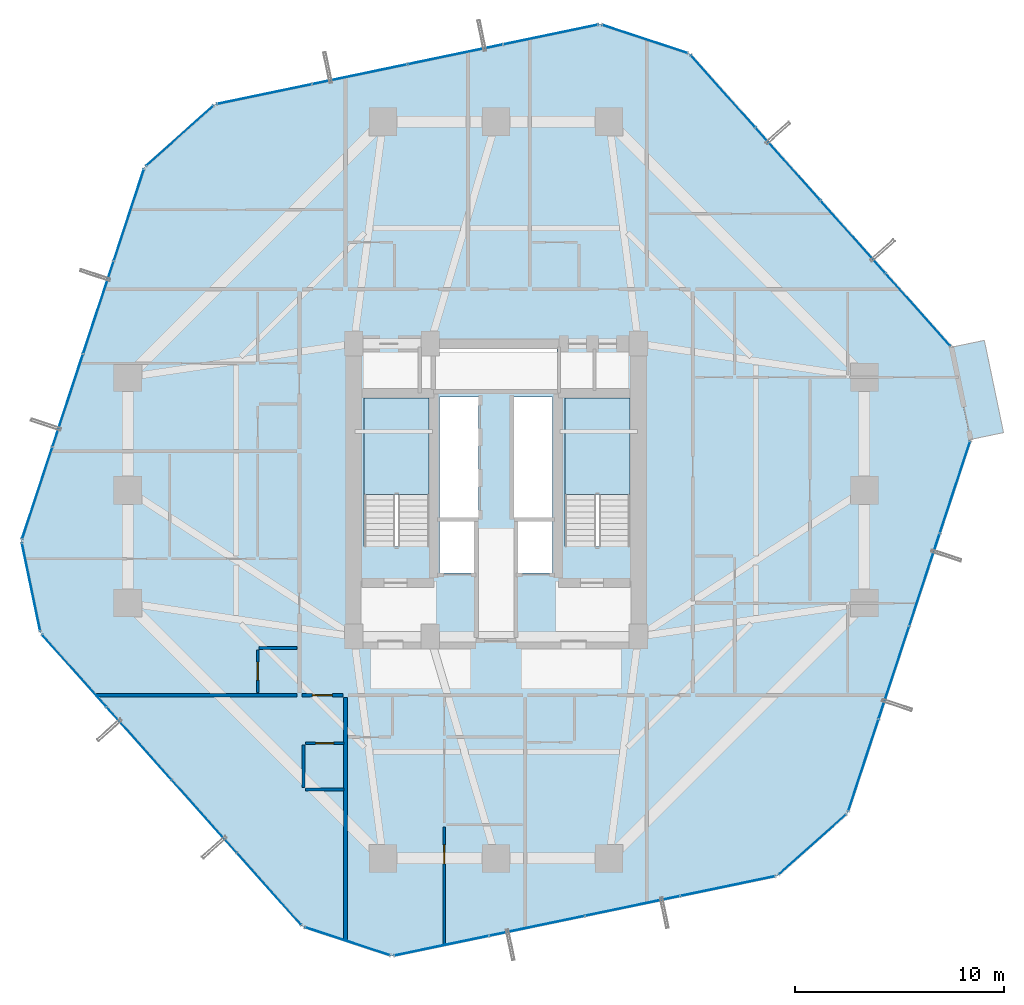
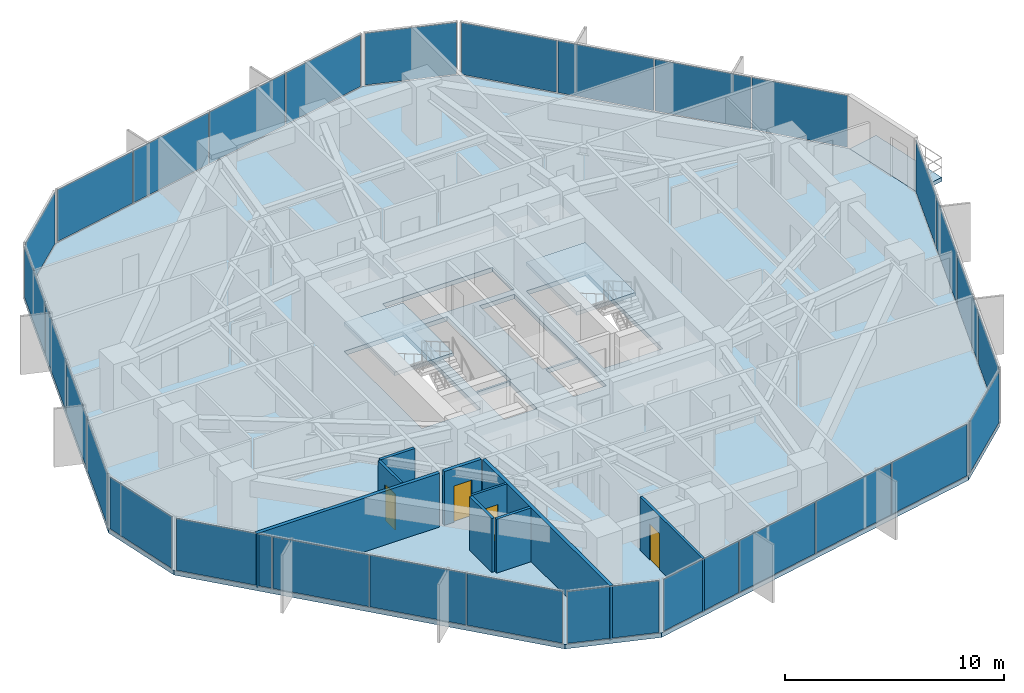
# One storey, part 32 of 38: 29 plates, 9 walls, 4 doors, 4 slabs, 4 openings, 13 elements without a shape of their own.
"""IFC4 building model written with IfcOpenShell, lengths in metres."""

from ifc_helpers import new_model, si_unit, direction, frame, frame_2d, origin, origin_2d, place, context, subcontext, project, spatial, polyline, rectangle, outline, extrude, source, transform, mapped, material, layer, layer_set, type_object, element, fill, aggregate, save


model = new_model("IFC4")

# Units and contexts
model_context = context("Model", 3, precision=1e-05, world=origin(), true_north=direction((0.0, 1.0)))
body_context = subcontext(model_context, "Body", "Model", "MODEL_VIEW")
ifc_project = project(units=[si_unit("LENGTHUNIT", "METRE"), si_unit("AREAUNIT", "SQUARE_METRE"), si_unit("VOLUMEUNIT", "CUBIC_METRE"), si_unit("PLANEANGLEUNIT", "RADIAN"), si_unit("MASSUNIT", "GRAM", prefix="KILO")], contexts=[model_context])

# Site, building, storey
site_placement = place(None, origin())
site = spatial("IfcSite", under=ifc_project, at=site_placement, CompositionType="ELEMENT")
building_placement = place(site_placement, origin())
building = spatial("IfcBuilding", under=site, at=building_placement, Name="Veraguas Prism Commons", CompositionType="ELEMENT")
storey_placement = place(building_placement, frame((0.0, 0.0, 64.10009765625)))
storey = spatial("IfcBuildingStorey", under=building, at=storey_placement, Name="L17", CompositionType="ELEMENT", Elevation=64.10009765625)

# Stair, slab
ifc_material_1 = material(Name="Precast concrete C45/55", Category="concrete")
stair_type = type_object("IfcStairType", Name="Dogleg Core Stair 1480W 20R 05", PredefinedType="HALF_TURN_STAIR", material=ifc_material_1)
stair_1_placement = place(storey_placement, origin())
stair_1 = element("IfcStair", 1, at=stair_1_placement, inside=storey, type_object=stair_type, Name="Protected Exit Stair ST-01 L17", PredefinedType="HALF_TURN_STAIR")
ifc_layer_1 = layer(ifc_material_1, 0.199951171875, Name="Precast Stair and Ramp Landing Slab 200", Category="concrete")
ifc_layer_set_1 = layer_set([ifc_layer_1], Name="Precast concrete C45/55")
slab_type_1 = type_object("IfcSlabType", Name="Precast Stair and Ramp Landing Slab 200", PredefinedType="LANDING", material=ifc_layer_set_1)
slab_1_placement = place(storey_placement, frame((0.0, 0.0, 1.4248046875)))
slab_1 = element("IfcSlab", 2, at=slab_1_placement, type_object=slab_type_1, Name="ST-05 Landing 1", PredefinedType="LANDING", context=body_context, shape_type="SweptSolid", body=[
    extrude(outline(polyline([(20.800048828125, 23.800048828125), (20.800048828125, 28.39990234375), (17.68994140625, 28.39990234375), (17.68994140625, 23.800048828125), (20.800048828125, 23.800048828125)])), origin(), (0.0, 0.0, 1.0), 0.2001953125),
])
aggregate(stair_1, [slab_1])

stair_2_placement = place(storey_placement, origin())
stair_2 = element("IfcStair", 3, at=stair_2_placement, inside=storey, type_object=stair_type, Name="Protected Exit Stair ST-02 L17", PredefinedType="HALF_TURN_STAIR")
slab_2_placement = place(storey_placement, frame((0.0, 0.0, 1.4248046875)))
slab_2 = element("IfcSlab", 4, at=slab_2_placement, type_object=slab_type_1, Name="ST-05 Landing 1", PredefinedType="LANDING", context=body_context, shape_type="SweptSolid", body=[
    extrude(outline(polyline([(30.39990234375, 23.800048828125), (30.39990234375, 28.39990234375), (27.2900390625, 28.39990234375), (27.2900390625, 23.800048828125), (30.39990234375, 23.800048828125)])), origin(), (0.0, 0.0, 1.0), 0.2001953125),
])
aggregate(stair_2, [slab_2])

# Slabs
ifc_material_2 = material(Name="Concrete C45/55", Category="concrete")
ifc_layer_2 = layer(ifc_material_2, 0.219970703125, Name="Recessed Loggia and Terrace Slab RC 220", Category="concrete")
ifc_layer_set_2 = layer_set([ifc_layer_2], Name="Concrete C45/55")
slab_type_2 = type_object("IfcSlabType", Name="Recessed Loggia and Terrace Slab RC 220", PredefinedType="FLOOR", material=ifc_layer_set_2)
slab_3_placement = place(storey_placement, frame((0.0, 0.0, -0.22021484375)))
element("IfcSlab", 5, at=slab_3_placement, inside=storey, type_object=slab_type_2, Name="Recessed Corner Loggia L17-C1", PredefinedType="FLOOR", context=body_context, shape_type="SweptSolid", body=[
    extrude(outline(polyline([(46.663330078125, 26.419921875), (48.24951171875, 26.75), (47.332275390625, 31.155517578125), (45.746337890625, 30.825439453125), (46.663330078125, 26.419921875)])), origin(), (0.0, 0.0, 1.0), 0.22021484375),
])
ifc_layer_3 = layer(ifc_material_2, 0.25, Name="Tower Lower Residential Floor Slab RC 250", Category="concrete")
ifc_layer_set_3 = layer_set([ifc_layer_3], Name="Concrete C45/55")
slab_type_3 = type_object("IfcSlabType", Name="Tower Lower Residential Floor Slab RC 250", PredefinedType="FLOOR", material=ifc_layer_set_3)
slab_4_placement = place(storey_placement, frame((0.0, 0.0, -0.25)))
element("IfcSlab", 6, at=slab_4_placement, inside=storey, type_object=slab_type_3, Name="Tower Floor Slab L17", PredefinedType="FLOOR", context=body_context, shape_type="SweptSolid", body=[
    extrude(outline(polyline([(46.68310546875, 26.424072265625), (45.765869140625, 30.82958984375), (33.2421875, 44.856201171875), (28.968505859375, 46.2646484375), (10.559326171875, 42.43212890625), (7.202392578125, 39.43505859375), (1.31689453125, 21.575927734375), (2.234130859375, 17.17041015625), (14.7578125, 3.143798828125), (19.031494140625, 1.7353515625), (37.440673828125, 5.56787109375), (40.797607421875, 8.56494140625), (46.68310546875, 26.424072265625)]), holes=[polyline([(20.800048828125, 21.31005859375), (20.800048828125, 28.39990234375), (17.68994140625, 28.39990234375), (17.68994140625, 21.31005859375), (20.800048828125, 21.31005859375)]), polyline([(30.39990234375, 21.31005859375), (30.39990234375, 28.39990234375), (27.2900390625, 28.39990234375), (27.2900390625, 21.31005859375), (30.39990234375, 21.31005859375)]), polyline([(21.300048828125, 22.64990234375), (23.14990234375, 22.64990234375), (23.14990234375, 28.449951171875), (21.300048828125, 28.449951171875), (21.300048828125, 22.64990234375)]), polyline([(24.85009765625, 22.64990234375), (26.699951171875, 22.64990234375), (26.699951171875, 28.449951171875), (24.85009765625, 28.449951171875), (24.85009765625, 22.64990234375)]), polyline([(21.10009765625, 28.800048828125), (26.89990234375, 28.800048828125), (26.89990234375, 30.800048828125), (21.10009765625, 30.800048828125), (21.10009765625, 28.800048828125)]), polyline([(21.300048828125, 20.050048828125), (23.050048828125, 20.050048828125), (23.050048828125, 22.550048828125), (21.300048828125, 22.550048828125), (21.300048828125, 20.050048828125)]), polyline([(24.949951171875, 20.050048828125), (26.699951171875, 20.050048828125), (26.699951171875, 22.550048828125), (24.949951171875, 22.550048828125), (24.949951171875, 20.050048828125)])]), origin(), (0.0, 0.0, 1.0), 0.25),
])

# Curtain wall, plates
ifc_material_3 = material(Name="Anodised aluminium EN AW-6063 T6", Category="aluminium")
ifc_layer_4 = layer(ifc_material_3, 0.169921875, Name="Unitised Flush Curtain Wall Zone 1", Category="aluminium")
ifc_layer_set_4 = layer_set([ifc_layer_4], Name="Anodised aluminium EN AW-6063 T6")
curtain_wall_type = type_object("IfcCurtainWallType", Name="Unitised Flush Curtain Wall Zone 1", PredefinedType="NOTDEFINED", material=ifc_layer_set_4)
curtain_wall_1_placement = place(storey_placement, origin())
curtain_wall_1 = element("IfcCurtainWall", 7, at=curtain_wall_1_placement, inside=storey, type_object=curtain_wall_type, Name="Tower Facade Curtain Wall L17-F1", PredefinedType="NOTDEFINED")
ifc_material_4 = material(Name="Laminated low-e glass", Category="glass")
ifc_layer_5 = layer(ifc_material_4, 0.028076171875, Name="Unitised Double Low-E Glazed Panel 28", Category="glass")
ifc_layer_set_5 = layer_set([ifc_layer_5], Name="Laminated low-e glass")
plate_type = type_object("IfcPlateType", Name="Unitised Double Low-E Glazed Panel 28", PredefinedType="CURTAIN_PANEL", material=ifc_layer_set_5)
shared_shape_1 = source(origin(), body_context, "Body", "SweptSolid", [
    extrude(rectangle(XDim=4.5810546875, YDim=0.028076171875, at=origin_2d()), origin(), (0.0, 0.0, 1.0), 2.889892578125),
])
plate_1_placement = place(storey_placement, frame((44.160400390625, 32.627685546875, 0.05517578125), z_axis=(0.0, 0.0, 1.0), x_axis=(-0.666011867434, 0.745941145424, 0.0)))
plate_1 = element("IfcPlate", 8, at=plate_1_placement, type_object=plate_type, Name="CW-Z1 Panel 1.1", PredefinedType="CURTAIN_PANEL", context=body_context, shape_type="MappedRepresentation", body=[
    mapped(shared_shape_1, transform((0.0, 0.0, 0.0), scale=1.0)),
])
plate_2_placement = place(storey_placement, frame((34.84765625, 43.05810546875, 0.05517578125), z_axis=(0.0, 0.0, 1.0), x_axis=(-0.666011867434, 0.745941145424, 0.0)))
plate_2 = element("IfcPlate", 9, at=plate_2_placement, type_object=plate_type, Name="CW-Z1 Panel 4.1", PredefinedType="CURTAIN_PANEL", context=body_context, shape_type="MappedRepresentation", body=[
    mapped(shared_shape_1, transform((0.0, 0.0, 0.0), scale=1.0)),
])

curtain_wall_2_placement = place(storey_placement, origin())
curtain_wall_2 = element("IfcCurtainWall", 10, at=curtain_wall_2_placement, inside=storey, type_object=curtain_wall_type, Name="Tower Facade Curtain Wall L17-F2", PredefinedType="NOTDEFINED")
plate_3_placement = place(storey_placement, frame((26.608642578125, 45.7734375, 0.05517578125), z_axis=(0.0, 0.0, 1.0), x_axis=(-0.979008848209, -0.203817749789, 0.0)))
plate_3 = element("IfcPlate", 11, at=plate_3_placement, type_object=plate_type, Name="CW-Z1 Panel 1.1", PredefinedType="CURTAIN_PANEL", context=body_context, shape_type="MappedRepresentation", body=[
    mapped(shared_shape_1, transform((0.0, 0.0, 0.0), scale=1.0)),
])
plate_4_placement = place(storey_placement, frame((12.919189453125, 42.92333984375, 0.05517578125), z_axis=(0.0, 0.0, 1.0), x_axis=(-0.979008848209, -0.203817749789, 0.0)))
plate_4 = element("IfcPlate", 12, at=plate_4_placement, type_object=plate_type, Name="CW-Z1 Panel 4.1", PredefinedType="CURTAIN_PANEL", context=body_context, shape_type="MappedRepresentation", body=[
    mapped(shared_shape_1, transform((0.0, 0.0, 0.0), scale=1.0)),
])

curtain_wall_3_placement = place(storey_placement, origin())
curtain_wall_3 = element("IfcCurtainWall", 13, at=curtain_wall_3_placement, inside=storey, type_object=curtain_wall_type, Name="Tower Facade Curtain Wall L17-F3", PredefinedType="NOTDEFINED")
plate_5_placement = place(storey_placement, frame((6.447998046875, 37.145751953125, 0.05517578125), z_axis=(0.0, 0.0, 1.0), x_axis=(-0.312991417409, -0.949755954248, 0.0)))
plate_5 = element("IfcPlate", 14, at=plate_5_placement, type_object=plate_type, Name="CW-Z1 Panel 1.1", PredefinedType="CURTAIN_PANEL", context=body_context, shape_type="MappedRepresentation", body=[
    mapped(shared_shape_1, transform((0.0, 0.0, 0.0), scale=1.0)),
])
plate_6_placement = place(storey_placement, frame((2.071533203125, 23.865478515625, 0.05517578125), z_axis=(0.0, 0.0, 1.0), x_axis=(-0.312991417409, -0.949755954248, 0.0)))
plate_6 = element("IfcPlate", 15, at=plate_6_placement, type_object=plate_type, Name="CW-Z1 Panel 4.1", PredefinedType="CURTAIN_PANEL", context=body_context, shape_type="MappedRepresentation", body=[
    mapped(shared_shape_1, transform((0.0, 0.0, 0.0), scale=1.0)),
])

curtain_wall_4_placement = place(storey_placement, origin())
curtain_wall_4 = element("IfcCurtainWall", 16, at=curtain_wall_4_placement, inside=storey, type_object=curtain_wall_type, Name="Tower Facade Curtain Wall L17-F4", PredefinedType="NOTDEFINED")
plate_7_placement = place(storey_placement, frame((3.839599609375, 15.372314453125, 0.05517578125), z_axis=(0.0, 0.0, 1.0), x_axis=(0.666011867434, -0.745941145424, 0.0)))
plate_7 = element("IfcPlate", 17, at=plate_7_placement, type_object=plate_type, Name="CW-Z1 Panel 1.1", PredefinedType="CURTAIN_PANEL", context=body_context, shape_type="MappedRepresentation", body=[
    mapped(shared_shape_1, transform((0.0, 0.0, 0.0), scale=1.0)),
])
plate_8_placement = place(storey_placement, frame((13.15234375, 4.94189453125, 0.05517578125), z_axis=(0.0, 0.0, 1.0), x_axis=(0.666011867434, -0.745941145424, 0.0)))
plate_8 = element("IfcPlate", 18, at=plate_8_placement, type_object=plate_type, Name="CW-Z1 Panel 4.1", PredefinedType="CURTAIN_PANEL", context=body_context, shape_type="MappedRepresentation", body=[
    mapped(shared_shape_1, transform((0.0, 0.0, 0.0), scale=1.0)),
])

curtain_wall_5_placement = place(storey_placement, origin())
curtain_wall_5 = element("IfcCurtainWall", 19, at=curtain_wall_5_placement, inside=storey, type_object=curtain_wall_type, Name="Tower Facade Curtain Wall L17-F5", PredefinedType="NOTDEFINED")
plate_9_placement = place(storey_placement, frame((21.391357421875, 2.2265625, 0.05517578125), z_axis=(0.0, 0.0, 1.0), x_axis=(0.979008848209, 0.203817749789, 0.0)))
plate_9 = element("IfcPlate", 20, at=plate_9_placement, type_object=plate_type, Name="CW-Z1 Panel 1.1", PredefinedType="CURTAIN_PANEL", context=body_context, shape_type="MappedRepresentation", body=[
    mapped(shared_shape_1, transform((0.0, 0.0, 0.0), scale=1.0)),
])
plate_10_placement = place(storey_placement, frame((35.080810546875, 5.07666015625, 0.05517578125), z_axis=(0.0, 0.0, 1.0), x_axis=(0.979008848209, 0.203817749789, 0.0)))
plate_10 = element("IfcPlate", 21, at=plate_10_placement, type_object=plate_type, Name="CW-Z1 Panel 4.1", PredefinedType="CURTAIN_PANEL", context=body_context, shape_type="MappedRepresentation", body=[
    mapped(shared_shape_1, transform((0.0, 0.0, 0.0), scale=1.0)),
])

curtain_wall_6_placement = place(storey_placement, origin())
curtain_wall_6 = element("IfcCurtainWall", 22, at=curtain_wall_6_placement, inside=storey, type_object=curtain_wall_type, Name="Tower Facade Curtain Wall L17-F6", PredefinedType="NOTDEFINED")
plate_11_placement = place(storey_placement, frame((41.552001953125, 10.854248046875, 0.05517578125), z_axis=(0.0, 0.0, 1.0), x_axis=(0.312991417409, 0.949755954248, 0.0)))
plate_11 = element("IfcPlate", 23, at=plate_11_placement, type_object=plate_type, Name="CW-Z1 Panel 1.1", PredefinedType="CURTAIN_PANEL", context=body_context, shape_type="MappedRepresentation", body=[
    mapped(shared_shape_1, transform((0.0, 0.0, 0.0), scale=1.0)),
])
plate_12_placement = place(storey_placement, frame((45.928466796875, 24.134521484375, 0.05517578125), z_axis=(0.0, 0.0, 1.0), x_axis=(0.312991417409, 0.949755954248, 0.0)))
plate_12 = element("IfcPlate", 24, at=plate_12_placement, type_object=plate_type, Name="CW-Z1 Panel 4.1", PredefinedType="CURTAIN_PANEL", context=body_context, shape_type="MappedRepresentation", body=[
    mapped(shared_shape_1, transform((0.0, 0.0, 0.0), scale=1.0)),
])

# Plate
shared_shape_2 = source(origin(), body_context, "Body", "SweptSolid", [
    extrude(rectangle(XDim=4.611083984375, YDim=0.028076171875, at=origin_2d()), origin(), (0.0, 0.0, 1.0), 2.889892578125),
])
plate_13_placement = place(storey_placement, frame((22.05029296875, 44.824462890625, 0.05517578125), z_axis=(0.0, 0.0, 1.0), x_axis=(-0.979008848209, -0.203817749789, 0.0)))
plate_13 = element("IfcPlate", 25, at=plate_13_placement, type_object=plate_type, Name="CW-Z1 Panel 2.1", PredefinedType="CURTAIN_PANEL", context=body_context, shape_type="MappedRepresentation", body=[
    mapped(shared_shape_2, transform((0.0, 0.0, 0.0), scale=1.0)),
])

plate_14_placement = place(storey_placement, frame((17.477294921875, 43.872314453125, 0.05517578125), z_axis=(0.0, 0.0, 1.0), x_axis=(-0.979008848209, -0.203817749789, 0.0)))
plate_14 = element("IfcPlate", 26, at=plate_14_placement, type_object=plate_type, Name="CW-Z1 Panel 3.1", PredefinedType="CURTAIN_PANEL", context=body_context, shape_type="MappedRepresentation", body=[
    mapped(shared_shape_2, transform((0.0, 0.0, 0.0), scale=1.0)),
])

aggregate(curtain_wall_2, [plate_3, plate_13, plate_14, plate_4])

plate_15_placement = place(storey_placement, frame((4.99072265625, 32.7236328125, 0.05517578125), z_axis=(0.0, 0.0, 1.0), x_axis=(-0.312991417409, -0.949755954248, 0.0)))
plate_15 = element("IfcPlate", 27, at=plate_15_placement, type_object=plate_type, Name="CW-Z1 Panel 2.1", PredefinedType="CURTAIN_PANEL", context=body_context, shape_type="MappedRepresentation", body=[
    mapped(shared_shape_2, transform((0.0, 0.0, 0.0), scale=1.0)),
])

plate_16_placement = place(storey_placement, frame((3.52880859375, 28.287353515625, 0.05517578125), z_axis=(0.0, 0.0, 1.0), x_axis=(-0.312991417409, -0.949755954248, 0.0)))
plate_16 = element("IfcPlate", 28, at=plate_16_placement, type_object=plate_type, Name="CW-Z1 Panel 3.1", PredefinedType="CURTAIN_PANEL", context=body_context, shape_type="MappedRepresentation", body=[
    mapped(shared_shape_2, transform((0.0, 0.0, 0.0), scale=1.0)),
])

aggregate(curtain_wall_3, [plate_5, plate_15, plate_16, plate_6])

plate_17_placement = place(storey_placement, frame((25.94970703125, 3.175537109375, 0.05517578125), z_axis=(0.0, 0.0, 1.0), x_axis=(0.979008848209, 0.203817749789, 0.0)))
plate_17 = element("IfcPlate", 29, at=plate_17_placement, type_object=plate_type, Name="CW-Z1 Panel 2.1", PredefinedType="CURTAIN_PANEL", context=body_context, shape_type="MappedRepresentation", body=[
    mapped(shared_shape_2, transform((0.0, 0.0, 0.0), scale=1.0)),
])

plate_18_placement = place(storey_placement, frame((30.522705078125, 4.127685546875, 0.05517578125), z_axis=(0.0, 0.0, 1.0), x_axis=(0.979008848209, 0.203817749789, 0.0)))
plate_18 = element("IfcPlate", 30, at=plate_18_placement, type_object=plate_type, Name="CW-Z1 Panel 3.1", PredefinedType="CURTAIN_PANEL", context=body_context, shape_type="MappedRepresentation", body=[
    mapped(shared_shape_2, transform((0.0, 0.0, 0.0), scale=1.0)),
])

aggregate(curtain_wall_5, [plate_9, plate_17, plate_18, plate_10])

plate_19_placement = place(storey_placement, frame((43.00927734375, 15.2763671875, 0.05517578125), z_axis=(0.0, 0.0, 1.0), x_axis=(0.312991417409, 0.949755954248, 0.0)))
plate_19 = element("IfcPlate", 31, at=plate_19_placement, type_object=plate_type, Name="CW-Z1 Panel 2.1", PredefinedType="CURTAIN_PANEL", context=body_context, shape_type="MappedRepresentation", body=[
    mapped(shared_shape_2, transform((0.0, 0.0, 0.0), scale=1.0)),
])

plate_20_placement = place(storey_placement, frame((44.47119140625, 19.712646484375, 0.05517578125), z_axis=(0.0, 0.0, 1.0), x_axis=(0.312991417409, 0.949755954248, 0.0)))
plate_20 = element("IfcPlate", 32, at=plate_20_placement, type_object=plate_type, Name="CW-Z1 Panel 3.1", PredefinedType="CURTAIN_PANEL", context=body_context, shape_type="MappedRepresentation", body=[
    mapped(shared_shape_2, transform((0.0, 0.0, 0.0), scale=1.0)),
])

aggregate(curtain_wall_6, [plate_11, plate_19, plate_20, plate_12])

shared_shape_3 = source(origin(), body_context, "Body", "SweptSolid", [
    extrude(rectangle(XDim=4.61083984375, YDim=0.028076171875, at=origin_2d()), origin(), (0.0, 0.0, 1.0), 2.889892578125),
])
plate_21_placement = place(storey_placement, frame((41.0595703125, 36.1005859375, 0.05517578125), z_axis=(0.0, 0.0, 1.0), x_axis=(-0.666011867434, 0.745941145424, 0.0)))
plate_21 = element("IfcPlate", 33, at=plate_21_placement, type_object=plate_type, Name="CW-Z1 Panel 2.1", PredefinedType="CURTAIN_PANEL", context=body_context, shape_type="MappedRepresentation", body=[
    mapped(shared_shape_3, transform((0.0, 0.0, 0.0), scale=1.0)),
])

plate_22_placement = place(storey_placement, frame((37.94873046875, 39.5849609375, 0.05517578125), z_axis=(0.0, 0.0, 1.0), x_axis=(-0.666011867434, 0.745941145424, 0.0)))
plate_22 = element("IfcPlate", 34, at=plate_22_placement, type_object=plate_type, Name="CW-Z1 Panel 3.1", PredefinedType="CURTAIN_PANEL", context=body_context, shape_type="MappedRepresentation", body=[
    mapped(shared_shape_3, transform((0.0, 0.0, 0.0), scale=1.0)),
])

aggregate(curtain_wall_1, [plate_1, plate_21, plate_22, plate_2])

plate_23_placement = place(storey_placement, frame((6.9404296875, 11.8994140625, 0.05517578125), z_axis=(0.0, 0.0, 1.0), x_axis=(0.666011867434, -0.745941145424, 0.0)))
plate_23 = element("IfcPlate", 35, at=plate_23_placement, type_object=plate_type, Name="CW-Z1 Panel 2.1", PredefinedType="CURTAIN_PANEL", context=body_context, shape_type="MappedRepresentation", body=[
    mapped(shared_shape_3, transform((0.0, 0.0, 0.0), scale=1.0)),
])

plate_24_placement = place(storey_placement, frame((10.05126953125, 8.4150390625, 0.05517578125), z_axis=(0.0, 0.0, 1.0), x_axis=(0.666011867434, -0.745941145424, 0.0)))
plate_24 = element("IfcPlate", 36, at=plate_24_placement, type_object=plate_type, Name="CW-Z1 Panel 3.1", PredefinedType="CURTAIN_PANEL", context=body_context, shape_type="MappedRepresentation", body=[
    mapped(shared_shape_3, transform((0.0, 0.0, 0.0), scale=1.0)),
])

aggregate(curtain_wall_4, [plate_7, plate_23, plate_24, plate_8])

# Curtain wall, plate
curtain_wall_7_placement = place(storey_placement, origin())
curtain_wall_7 = element("IfcCurtainWall", 37, at=curtain_wall_7_placement, inside=storey, type_object=curtain_wall_type, Name="Chamfer Curtain Wall L17-C2", PredefinedType="NOTDEFINED")
shared_shape_4 = source(origin(), body_context, "Body", "SweptSolid", [
    extrude(rectangle(XDim=4.260009765625, YDim=0.028076171875, at=origin_2d()), origin(), (0.0, 0.0, 1.0), 2.889892578125),
])
plate_25_placement = place(storey_placement, frame((31.10546875, 45.560302734375, 0.05517578125), z_axis=(0.0, 0.0, 1.0), x_axis=(-0.949755407973, 0.312993075045, 0.0)))
plate_25 = element("IfcPlate", 38, at=plate_25_placement, type_object=plate_type, Name="CW-Z1 Panel 1.1", PredefinedType="CURTAIN_PANEL", context=body_context, shape_type="MappedRepresentation", body=[
    mapped(shared_shape_4, transform((0.0, 0.0, 0.0), scale=1.0)),
])
aggregate(curtain_wall_7, [plate_25])

curtain_wall_8_placement = place(storey_placement, origin())
curtain_wall_8 = element("IfcCurtainWall", 39, at=curtain_wall_8_placement, inside=storey, type_object=curtain_wall_type, Name="Chamfer Curtain Wall L17-C3", PredefinedType="NOTDEFINED")
plate_26_placement = place(storey_placement, frame((8.880859375, 40.93359375, 0.05517578125), z_axis=(0.0, 0.0, 1.0), x_axis=(-0.745953931797, -0.66599754627, 0.0)))
plate_26 = element("IfcPlate", 40, at=plate_26_placement, type_object=plate_type, Name="CW-Z1 Panel 1.1", PredefinedType="CURTAIN_PANEL", context=body_context, shape_type="MappedRepresentation", body=[
    mapped(shared_shape_4, transform((0.0, 0.0, 0.0), scale=1.0)),
])
aggregate(curtain_wall_8, [plate_26])

curtain_wall_9_placement = place(storey_placement, origin())
curtain_wall_9 = element("IfcCurtainWall", 41, at=curtain_wall_9_placement, inside=storey, type_object=curtain_wall_type, Name="Chamfer Curtain Wall L17-C4", PredefinedType="NOTDEFINED")
plate_27_placement = place(storey_placement, frame((1.775634765625, 19.373291015625, 0.05517578125), z_axis=(0.0, 0.0, 1.0), x_axis=(0.203810915013, -0.979010271101, 0.0)))
plate_27 = element("IfcPlate", 42, at=plate_27_placement, type_object=plate_type, Name="CW-Z1 Panel 1.1", PredefinedType="CURTAIN_PANEL", context=body_context, shape_type="MappedRepresentation", body=[
    mapped(shared_shape_4, transform((0.0, 0.0, 0.0), scale=1.0)),
])
aggregate(curtain_wall_9, [plate_27])

curtain_wall_10_placement = place(storey_placement, origin())
curtain_wall_10 = element("IfcCurtainWall", 43, at=curtain_wall_10_placement, inside=storey, type_object=curtain_wall_type, Name="Chamfer Curtain Wall L17-C5", PredefinedType="NOTDEFINED")
plate_28_placement = place(storey_placement, frame((16.89453125, 2.439697265625, 0.05517578125), z_axis=(0.0, 0.0, 1.0), x_axis=(0.949755407973, -0.312993075045, 0.0)))
plate_28 = element("IfcPlate", 44, at=plate_28_placement, type_object=plate_type, Name="CW-Z1 Panel 1.1", PredefinedType="CURTAIN_PANEL", context=body_context, shape_type="MappedRepresentation", body=[
    mapped(shared_shape_4, transform((0.0, 0.0, 0.0), scale=1.0)),
])
aggregate(curtain_wall_10, [plate_28])

curtain_wall_11_placement = place(storey_placement, origin())
curtain_wall_11 = element("IfcCurtainWall", 45, at=curtain_wall_11_placement, inside=storey, type_object=curtain_wall_type, Name="Chamfer Curtain Wall L17-C6", PredefinedType="NOTDEFINED")
plate_29_placement = place(storey_placement, frame((39.119140625, 7.06640625, 0.05517578125), z_axis=(0.0, 0.0, 1.0), x_axis=(0.745953931797, 0.66599754627, 0.0)))
plate_29 = element("IfcPlate", 46, at=plate_29_placement, type_object=plate_type, Name="CW-Z1 Panel 1.1", PredefinedType="CURTAIN_PANEL", context=body_context, shape_type="MappedRepresentation", body=[
    mapped(shared_shape_4, transform((0.0, 0.0, 0.0), scale=1.0)),
])
aggregate(curtain_wall_11, [plate_29])

# Walls
ifc_material_5 = material(Name="Autoclaved aerated masonry block 10 MPa", Category="masonry")
ifc_layer_6 = layer(ifc_material_5, 0.179931640625, Name="Corridor and Inter-Tenancy Partition 180", Category="masonry")
ifc_layer_set_6 = layer_set([ifc_layer_6], Name="Autoclaved aerated masonry block 10 MPa")
wall_type_1 = type_object("IfcWallType", Name="Corridor and Inter-Tenancy Partition 180", PredefinedType="PARTITIONING", material=ifc_layer_set_6)
wall_1_placement = place(storey_placement, frame((16.800048828125, 14.080078125, 0.0), z_axis=(0.0, 0.0, 1.0), x_axis=(0.0, -1.0, 0.0)))
element("IfcWall", 47, at=wall_1_placement, inside=storey, type_object=wall_type_1, Name="WL-L17-PT001", PredefinedType="PARTITIONING", context=body_context, shape_type="SweptSolid", body=[
    extrude(rectangle(XDim=11.640869140625, YDim=0.179931640625, at=frame_2d((5.8203125, 0.0))), origin(), (0.0, 0.0, 1.0), 3.0),
])
wall_2_placement = place(storey_placement, frame((14.47998046875, 14.199951171875, 0.0), z_axis=(0.0, 0.0, 1.0), x_axis=(-1.0, 0.0, 0.0)))
element("IfcWall", 48, at=wall_2_placement, inside=storey, type_object=wall_type_1, Name="WL-L17-PT026", PredefinedType="PARTITIONING", context=body_context, shape_type="SweptSolid", body=[
    extrude(rectangle(XDim=9.6337890625, YDim=0.179931640625, at=frame_2d((4.81689453125, 0.0))), origin(), (0.0, 0.0, 1.0), 3.0),
])

# Wall, opening, door
wall_3_placement = place(storey_placement, frame((14.719970703125, 14.199951171875, 0.0), z_axis=(0.0, 0.0, 1.0), x_axis=(1.0, 0.0, 0.0)))
wall_3 = element("IfcWall", 49, at=wall_3_placement, inside=storey, type_object=wall_type_1, Name="WL-L17-PT060", PredefinedType="PARTITIONING", context=body_context, shape_type="SweptSolid", body=[
    extrude(rectangle(XDim=1.9599609375, YDim=0.179931640625, at=frame_2d((0.97998046875, 0.0))), origin(), (0.0, 0.0, 1.0), 3.0),
])
opening_1_placement = place(wall_3_placement, frame((0.5048828125, 0.0, 0.0)))
opening_1 = element("IfcOpeningElement", 50, at=opening_1_placement, cuts=wall_3, Name="Opening DR-01", PredefinedType="OPENING", context=body_context, shape_type="SweptSolid", body=[
    extrude(rectangle(XDim=0.949951171875, YDim=2.02001953125, at=frame_2d((0.47509765625, 1.010009765625))), frame((0.0, 0.099853515625, 0.0), z_axis=(0.0, -1.0, 0.0), x_axis=(1.0, 0.0, 0.0)), (0.0, 0.0, 1.0), 0.199951171875),
])
door_type_1 = type_object("IfcDoorType", Name="Apartment Entrance Fire Door 950x2020", OperationType="NOTDEFINED", PredefinedType="DOOR", material=ifc_material_3)
shared_shape_5 = source(origin(), body_context, "Body", "SweptSolid", [
    extrude(rectangle(XDim=0.949951171875, YDim=2.02001953125, at=frame_2d((0.47509765625, 1.010009765625))), frame((0.0, 0.02490234375, 0.0), z_axis=(0.0, -1.0, 0.0), x_axis=(1.0, 0.0, 0.0)), (0.0, 0.0, 1.0), 0.050048828125),
])
door_1_placement = place(opening_1_placement, origin())
door_1 = element("IfcDoor", 51, at=door_1_placement, inside=storey, type_object=door_type_1, Name="Studio 17H Entrance Door", OperationType="SINGLE_SWING_LEFT", OverallHeight=2.02001953125, OverallWidth=0.949951171875, PredefinedType="DOOR", context=body_context, shape_type="MappedRepresentation", body=[
    mapped(shared_shape_5, transform((0.0, 0.0, 0.0), scale=1.0)),
])
fill(opening_1, door_1)

ifc_material_6 = material(Name="Lightweight acoustic gypsum board")
ifc_layer_7 = layer(ifc_material_6, 0.125, Name="Internal Apartment Room Partition 125")
ifc_layer_set_7 = layer_set([ifc_layer_7], Name="Lightweight acoustic gypsum board")
wall_type_2 = type_object("IfcWallType", Name="Internal Apartment Room Partition 125", PredefinedType="PARTITIONING", material=ifc_layer_set_7)
wall_4_placement = place(storey_placement, frame((21.52587890625, 7.89990234375, 0.0), z_axis=(0.0, 0.0, 1.0), x_axis=(0.0, -1.0, 0.0)))
wall_4 = element("IfcWall", 52, at=wall_4_placement, inside=storey, type_object=wall_type_2, Name="WL-L17-PT010", PredefinedType="PARTITIONING", context=body_context, shape_type="SweptSolid", body=[
    extrude(rectangle(XDim=5.67578125, YDim=0.125, at=frame_2d((2.837890625, 0.0))), origin(), (0.0, 0.0, 1.0), 3.0),
])
opening_2_placement = place(wall_4_placement, frame((0.8564453125, 0.0, 0.0)))
opening_2 = element("IfcOpeningElement", 53, at=opening_2_placement, cuts=wall_4, Name="Opening DR-02", PredefinedType="OPENING", context=body_context, shape_type="SweptSolid", body=[
    extrude(rectangle(XDim=0.89990234375, YDim=2.010009765625, at=frame_2d((0.449951171875, 1.0048828125))), frame((0.0, 0.072509765625, 0.0), z_axis=(0.0, -1.0, 0.0), x_axis=(1.0, 0.0, 0.0)), (0.0, 0.0, 1.0), 0.14501953125),
])
ifc_material_7 = material(Name="Timber solid core hardwood", Category="wood")
door_type_2 = type_object("IfcDoorType", Name="Internal Habitable Room Door 900x2010", OperationType="NOTDEFINED", PredefinedType="DOOR", material=ifc_material_7)
shared_shape_6 = source(origin(), body_context, "Body", "SweptSolid", [
    extrude(rectangle(XDim=0.89990234375, YDim=2.010009765625, at=frame_2d((0.449951171875, 1.0048828125))), frame((0.0, 0.02490234375, 0.0), z_axis=(0.0, -1.0, 0.0), x_axis=(1.0, 0.0, 0.0)), (0.0, 0.0, 1.0), 0.050048828125),
])
door_2_placement = place(opening_2_placement, origin())
door_2 = element("IfcDoor", 54, at=door_2_placement, inside=storey, type_object=door_type_2, Name="Flat 17A Bedroom 2 Door", OperationType="SINGLE_SWING_LEFT", OverallHeight=2.010009765625, OverallWidth=0.89990234375, PredefinedType="DOOR", context=body_context, shape_type="MappedRepresentation", body=[
    mapped(shared_shape_6, transform((0.0, 0.0, 0.0), scale=1.0)),
])
fill(opening_2, door_2)

wall_5_placement = place(storey_placement, frame((12.60009765625, 14.320068359375, 0.0), z_axis=(0.0, 0.0, 1.0), x_axis=(0.0, 1.0, 0.0)))
wall_5 = element("IfcWall", 55, at=wall_5_placement, inside=storey, type_object=wall_type_2, Name="WL-L17-PT030", PredefinedType="PARTITIONING", context=body_context, shape_type="SweptSolid", body=[
    extrude(rectangle(XDim=2.050048828125, YDim=0.125, at=frame_2d((1.02490234375, 0.0))), origin(), (0.0, 0.0, 1.0), 3.0),
])
opening_3_placement = place(wall_5_placement, frame((0.594970703125, 0.0, 0.0)))
opening_3 = element("IfcOpeningElement", 56, at=opening_3_placement, cuts=wall_5, Name="Opening DR-03", PredefinedType="OPENING", context=body_context, shape_type="SweptSolid", body=[
    extrude(rectangle(XDim=0.860107421875, YDim=2.010009765625, at=frame_2d((0.43017578125, 1.0048828125))), frame((0.0, 0.072509765625, 0.0), z_axis=(0.0, -1.0, 0.0), x_axis=(1.0, 0.0, 0.0)), (0.0, 0.0, 1.0), 0.14501953125),
])
ifc_material_8 = material(Name="Timber moisture-resistant leaf", Category="wood")
door_type_3 = type_object("IfcDoorType", Name="Internal Bathroom Door 860x2010", OperationType="NOTDEFINED", PredefinedType="DOOR", material=ifc_material_8)
shared_shape_7 = source(origin(), body_context, "Body", "SweptSolid", [
    extrude(rectangle(XDim=0.860107421875, YDim=2.010009765625, at=frame_2d((0.43017578125, 1.0048828125))), frame((0.0, 0.02490234375, 0.0), z_axis=(0.0, -1.0, 0.0), x_axis=(1.0, 0.0, 0.0)), (0.0, 0.0, 1.0), 0.050048828125),
])
door_3_placement = place(opening_3_placement, origin())
door_3 = element("IfcDoor", 57, at=door_3_placement, inside=storey, type_object=door_type_3, Name="Flat 17E Bathroom Door", OperationType="SINGLE_SWING_RIGHT", OverallHeight=2.010009765625, OverallWidth=0.860107421875, PredefinedType="DOOR", context=body_context, shape_type="MappedRepresentation", body=[
    mapped(shared_shape_7, transform((0.0, 0.0, 0.0), scale=1.0)),
])
fill(opening_3, door_3)

wall_6_placement = place(storey_placement, frame((14.8798828125, 11.89990234375, 0.0), z_axis=(0.0, 0.0, 1.0), x_axis=(1.0, 0.0, 0.0)))
wall_6 = element("IfcWall", 58, at=wall_6_placement, inside=storey, type_object=wall_type_2, Name="WL-L17-PT061", PredefinedType="PARTITIONING", context=body_context, shape_type="SweptSolid", body=[
    extrude(rectangle(XDim=1.840087890625, YDim=0.125, at=frame_2d((0.919921875, 0.0))), origin(), (0.0, 0.0, 1.0), 3.0),
])
opening_4_placement = place(wall_6_placement, frame((0.489990234375, 0.0, 0.0)))
opening_4 = element("IfcOpeningElement", 59, at=opening_4_placement, cuts=wall_6, Name="Opening DR-03", PredefinedType="OPENING", context=body_context, shape_type="SweptSolid", body=[
    extrude(rectangle(XDim=0.860107421875, YDim=2.010009765625, at=frame_2d((0.43017578125, 1.0048828125))), frame((0.0, 0.072509765625, 0.0), z_axis=(0.0, -1.0, 0.0), x_axis=(1.0, 0.0, 0.0)), (0.0, 0.0, 1.0), 0.14501953125),
])
door_4_placement = place(opening_4_placement, origin())
door_4 = element("IfcDoor", 60, at=door_4_placement, inside=storey, type_object=door_type_3, Name="Studio 17H Bathroom Door", OperationType="SINGLE_SWING_RIGHT", OverallHeight=2.010009765625, OverallWidth=0.860107421875, PredefinedType="DOOR", context=body_context, shape_type="MappedRepresentation", body=[
    mapped(shared_shape_7, transform((0.0, 0.0, 0.0), scale=1.0)),
])
fill(opening_4, door_4)

# Walls
ifc_layer_8 = layer(ifc_material_6, 0.14990234375, Name="Wet Room and Clinic Acoustic Partition 150")
ifc_layer_set_8 = layer_set([ifc_layer_8], Name="Lightweight acoustic gypsum board")
wall_type_3 = type_object("IfcWallType", Name="Wet Room and Clinic Acoustic Partition 150", PredefinedType="PARTITIONING", material=ifc_layer_set_8)
wall_7_placement = place(storey_placement, frame((14.47998046875, 16.449951171875, 0.0), z_axis=(0.0, 0.0, 1.0), x_axis=(-1.0, 0.0, 0.0)))
element("IfcWall", 61, at=wall_7_placement, inside=storey, type_object=wall_type_3, Name="WL-L17-PT029", PredefinedType="PARTITIONING", context=body_context, shape_type="SweptSolid", body=[
    extrude(rectangle(XDim=1.800048828125, YDim=0.14990234375, at=frame_2d((0.89990234375, 0.0))), origin(), (0.0, 0.0, 1.0), 3.0),
])
wall_8_placement = place(storey_placement, frame((14.8798828125, 9.699951171875, 0.0), z_axis=(0.0, 0.0, 1.0), x_axis=(1.0, 0.0, 0.0)))
element("IfcWall", 62, at=wall_8_placement, inside=storey, type_object=wall_type_3, Name="WL-L17-PT062", PredefinedType="PARTITIONING", context=body_context, shape_type="SweptSolid", body=[
    extrude(rectangle(XDim=1.840087890625, YDim=0.14990234375, at=frame_2d((0.919921875, 0.0))), origin(), (0.0, 0.0, 1.0), 3.0),
])
wall_9_placement = place(storey_placement, frame((14.800048828125, 9.780029296875, 0.0), z_axis=(0.0, 0.0, 1.0), x_axis=(0.0, 1.0, 0.0)))
element("IfcWall", 63, at=wall_9_placement, inside=storey, type_object=wall_type_3, Name="WL-L17-PT063", PredefinedType="PARTITIONING", context=body_context, shape_type="SweptSolid", body=[
    extrude(rectangle(XDim=2.0400390625, YDim=0.14990234375, at=frame_2d((1.02001953125, 0.0))), origin(), (0.0, 0.0, 1.0), 3.0),
])

save(model, "model.ifc")
